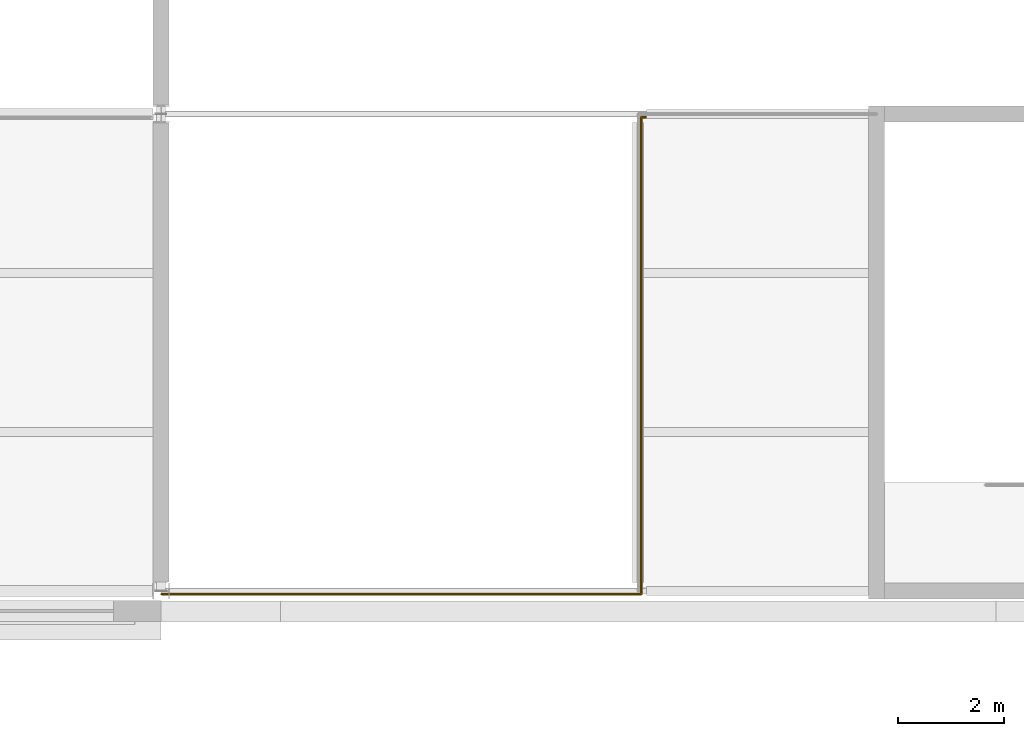
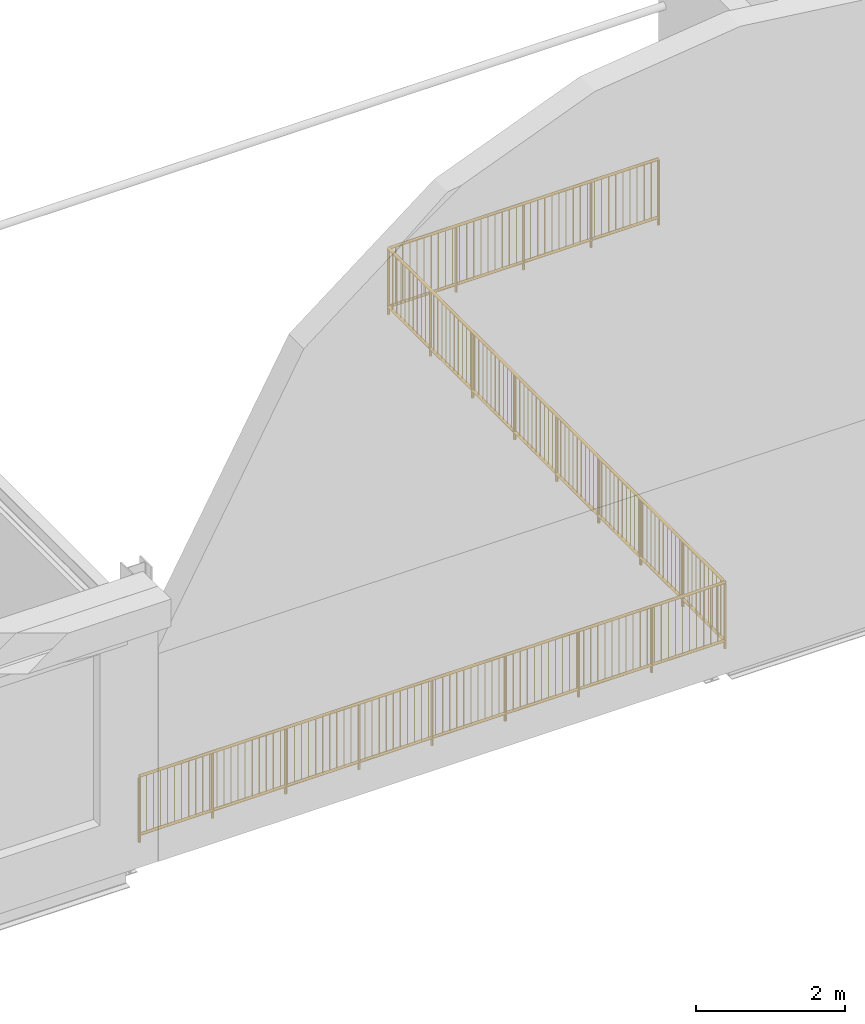
# One storey, part 55 of 59: 1 railing.
"""IFC4 building model written with IfcOpenShell, lengths in metres."""

import ifcopenshell
import ifcopenshell.guid

model = None  # the IFC model being written
_history = None  # IfcOwnerHistory: only IFC2X3 demands one
_inside = {}  # id of a spatial element -> (the spatial element, [elements in it])
_under = {}  # id of a project, library or spatial element -> (it, [spatial elements below it])
_declared = {}  # id of a project -> (the project, [libraries it declares])
_typed = {}  # id of a type object -> (the type object, [elements of that type])
_made_of = {}  # id of a material, layer set ... -> (it, [elements and type objects made of it])


def new_model(schema):
    """Start an empty IFC model of exactly this schema.

    Asked for "IFC4X3", IfcOpenShell would pick the latest addendum, in which some entities
    have other attributes; the version numbers below select the first issue.
    IFC2X3 requires an IfcOwnerHistory on every rooted entity: one is made here for all.
    """
    global model, _history
    if schema == "IFC4X3":
        model = ifcopenshell.file(schema_version=(4, 3, 0, 0))
    else:
        model = ifcopenshell.file(schema=schema)
    _inside.clear()
    _under.clear()
    _declared.clear()
    _typed.clear()
    _made_of.clear()
    _history = None
    if model.schema == "IFC2X3":
        org = make("IfcOrganization", Name="unknown")
        user = make(
            "IfcPersonAndOrganization",
            ThePerson=make("IfcPerson", FamilyName="unknown"),
            TheOrganization=org,
        )
        app = make(
            "IfcApplication",
            ApplicationDeveloper=org,
            Version="unknown",
            ApplicationFullName="unknown",
            ApplicationIdentifier="unknown",
        )
        _history = make(
            "IfcOwnerHistory",
            OwningUser=user,
            OwningApplication=app,
            ChangeAction="ADDED",
            CreationDate=0,
        )
    return model


def make(cls, **values):
    """One entity of the class cls with the attributes given. An attribute that is None is left unset."""
    return model.create_entity(
        cls, **{name: value for name, value in values.items() if value is not None}
    )


def rooted(cls, **values):
    """An entity with a GlobalId (a new one), such as an element, a storey or a relation."""
    return make(cls, GlobalId=ifcopenshell.guid.new(), OwnerHistory=_history, **values)


def si_unit(unit_type, name, prefix=None):
    """IfcSIUnit, for example si_unit("LENGTHUNIT", "METRE", prefix="MILLI")."""
    return make("IfcSIUnit", UnitType=unit_type, Prefix=prefix, Name=name)


def assignment(units):
    """IfcUnitAssignment: the units of a project."""
    return None if units is None else make("IfcUnitAssignment", Units=units)


def point(xyz):
    """IfcCartesianPoint."""
    return None if xyz is None else make("IfcCartesianPoint", Coordinates=xyz)


def direction(xyz):
    """IfcDirection."""
    return None if xyz is None else make("IfcDirection", DirectionRatios=xyz)


def frame(location, z_axis=None, x_axis=None):
    """IfcAxis2Placement3D, a coordinate frame: its origin and axes. An axis left out is left unset."""
    return make(
        "IfcAxis2Placement3D",
        Location=point(location),
        Axis=direction(z_axis),
        RefDirection=direction(x_axis),
    )


def frame_2d(location, x_axis=None):
    """IfcAxis2Placement2D, a coordinate frame in the plane: its origin and x axis."""
    return make(
        "IfcAxis2Placement2D", Location=point(location), RefDirection=direction(x_axis)
    )


def origin():
    """The frame at (0, 0, 0) with its axes left unset."""
    return frame((0.0, 0.0, 0.0))


def origin_2d():
    """The frame at (0, 0) in the plane with its x axis left unset."""
    return frame_2d((0.0, 0.0))


def place(relative_to, where):
    """IfcLocalPlacement: puts the frame where relative to a parent placement (None: the world)."""
    return make(
        "IfcLocalPlacement", PlacementRelTo=relative_to, RelativePlacement=where
    )


def context(
    kind, dimensions, precision=None, world=None, true_north=None, identifier=None
):
    """IfcGeometricRepresentationContext, for example the 3D "Model" context."""
    return make(
        "IfcGeometricRepresentationContext",
        ContextIdentifier=identifier,
        ContextType=kind,
        CoordinateSpaceDimension=dimensions,
        Precision=precision,
        WorldCoordinateSystem=world,
        TrueNorth=true_north,
    )


def subcontext(parent, identifier, kind, view, scale=None):
    """IfcGeometricRepresentationSubContext, for example "Body" below "Model"."""
    return make(
        "IfcGeometricRepresentationSubContext",
        ContextIdentifier=identifier,
        ContextType=kind,
        ParentContext=parent,
        TargetScale=scale,
        TargetView=view,
    )


def project(units=None, contexts=None):
    """IfcProject with its units and contexts."""
    return rooted(
        "IfcProject",
        Name="project",
        RepresentationContexts=contexts,
        UnitsInContext=assignment(units),
    )


def spatial(cls, under=None, at=None, **own):
    """A site, building, storey or space (cls), placed at a placement, below another one or the project."""
    s = rooted(cls, ObjectPlacement=at, **own)
    if under is not None:
        _under.setdefault(under.id(), (under, []))[1].append(s)
    return s


def profile(cls, at=None, kind="AREA", **sizes):
    """A parametric profile (cls). Its sizes go by their IFC names, for example OverallWidth=200.0."""
    return make(cls, ProfileType=kind, Position=at, **sizes)


def circle(**sizes):
    """IfcCircleProfileDef."""
    return profile("IfcCircleProfileDef", **sizes)


def extrude(swept, where, along, depth):
    """IfcExtrudedAreaSolid: the profile swept, set in the frame where, extruded along a direction by depth."""
    return make(
        "IfcExtrudedAreaSolid",
        SweptArea=swept,
        Position=where,
        ExtrudedDirection=direction(along),
        Depth=depth,
    )


def shape(context_of_items, identifier, shape_type, items):
    """IfcShapeRepresentation: the items that make up one representation, for example the "Body"."""
    return make(
        "IfcShapeRepresentation",
        ContextOfItems=context_of_items,
        RepresentationIdentifier=identifier,
        RepresentationType=shape_type,
        Items=items,
    )


def material(Name=None, Category=None):
    """IfcMaterial."""
    return make("IfcMaterial", Name=Name, Category=Category)


def made_of(thing, what):
    """Note that an element or type object is made of a material, layer set ...; save() writes the relation."""
    if what is not None:
        _made_of.setdefault(what.id(), (what, []))[1].append(thing)
    return thing


def type_object(cls, material=None, **own):
    """A type object (cls), such as IfcWallType, which elements share."""
    return made_of(rooted(cls, **own), material)


def element(
    cls,
    number,
    at=None,
    inside=None,
    cuts=None,
    type_object=None,
    material=None,
    context=None,
    identifier="Body",
    shape_type=None,
    held_by="IfcProductDefinitionShape",
    body=None,
    shapes=None,
    **own,
):
    """One element of the class cls, such as IfcWall. Its Tag is "e" and its number.

    at: its placement. inside: the storey or other place that contains it. cuts: it is an
    opening in that element (IfcRelVoidsElement). A single representation is given by context,
    identifier, shape_type and body (its items); several are given by shapes. held_by: the class
    of the entity that holds the representations. save() writes the other relations.
    """
    e = rooted(cls, Tag="e%d" % number, ObjectPlacement=at, **own)
    if body is not None:
        shapes = [shape(context, identifier, shape_type, body)]
    if shapes is not None:
        e.Representation = make(held_by, Representations=shapes)
    if inside is not None:
        _inside.setdefault(inside.id(), (inside, []))[1].append(e)
    if cuts is not None:
        rooted(
            "IfcRelVoidsElement", RelatingBuildingElement=cuts, RelatedOpeningElement=e
        )
    if type_object is not None:
        _typed.setdefault(type_object.id(), (type_object, []))[1].append(e)
    return made_of(e, material)


def aggregate(whole, parts):
    """IfcRelAggregates: a whole, such as a stair, and the parts it consists of."""
    return rooted("IfcRelAggregates", RelatingObject=whole, RelatedObjects=parts)


def save(model, path):
    """Write the relations noted so far, then the file.

    IfcRelAggregates (storeys below a building ...), IfcRelContainedInSpatialStructure (elements
    in a storey), IfcRelDefinesByType, IfcRelAssociatesMaterial and IfcRelDeclares: one each for
    every whole, place, type object, material and project.
    """
    for whole, parts in _under.values():
        aggregate(whole, parts)
    for where, things in _inside.values():
        rooted(
            "IfcRelContainedInSpatialStructure",
            RelatedElements=things,
            RelatingStructure=where,
        )
    for kind, things in _typed.values():
        rooted("IfcRelDefinesByType", RelatedObjects=things, RelatingType=kind)
    for what, things in _made_of.values():
        rooted("IfcRelAssociatesMaterial", RelatedObjects=things, RelatingMaterial=what)
    for by, libraries in _declared.values():
        rooted("IfcRelDeclares", RelatingContext=by, RelatedDefinitions=libraries)
    model.write(path)


model = new_model("IFC4")

# Units and contexts
model_context = context("Model", 3, precision=1e-05, world=origin(), true_north=direction((0.0, 1.0)))
body_context = subcontext(model_context, "Body", "Model", "MODEL_VIEW")
ifc_project = project(units=[si_unit("LENGTHUNIT", "METRE"), si_unit("AREAUNIT", "SQUARE_METRE"), si_unit("VOLUMEUNIT", "CUBIC_METRE"), si_unit("PLANEANGLEUNIT", "RADIAN"), si_unit("MASSUNIT", "GRAM", prefix="KILO")], contexts=[model_context])

# Site, building, storey
site_placement = place(None, origin())
site = spatial("IfcSite", under=ifc_project, at=site_placement, CompositionType="ELEMENT")
building_placement = place(site_placement, origin())
building = spatial("IfcBuilding", under=site, at=building_placement, Name="Hortulan Conservatory and Botanical Research Centre", CompositionType="ELEMENT")
storey_placement = place(building_placement, frame((0.0, 0.0, 10.5)))
storey = spatial("IfcBuildingStorey", under=building, at=storey_placement, Name="L02", CompositionType="ELEMENT", Elevation=10.5)

# Railing
ifc_material = material(Name="Wrought iron guard, bronze-charcoal paint", Category="metal")
railing_type = type_object("IfcRailingType", Name="Ironwork Void Guard 1100", PredefinedType="GUARDRAIL", material=ifc_material)
railing_placement = place(storey_placement, frame((103.22998046875, 44.93994140625, 0.0)))
element("IfcRailing", 1, at=railing_placement, inside=storey, type_object=railing_type, Name="Guard L02 Aud Hall L02 1 10", PredefinedType="GUARDRAIL", context=body_context, shape_type="SweptSolid", body=[
    extrude(circle(Radius=0.02392578125, at=origin_2d()), frame((0.0, 0.0, 1.076171875), z_axis=(-1.0, 0.0, 0.0), x_axis=(0.0, -1.0, 0.0)), (0.0, 0.0, 1.0), 4.169921875),
    extrude(circle(Radius=0.02392578125, at=origin_2d()), frame((0.0, 0.0, 0.1240234375), z_axis=(-1.0, 0.0, 0.0), x_axis=(0.0, -1.0, 0.0)), (0.0, 0.0, 1.0), 4.169921875),
    extrude(circle(Radius=0.008056640625, at=origin_2d()), frame((-0.109619140625, 0.0, 0.148193359375)), (0.0, 0.0, 1.0), 0.90380859375),
    extrude(circle(Radius=0.008056640625, at=origin_2d()), frame((-0.219482421875, 0.0, 0.148193359375)), (0.0, 0.0, 1.0), 0.90380859375),
    extrude(circle(Radius=0.008056640625, at=origin_2d()), frame((-0.3291015625, 0.0, 0.148193359375)), (0.0, 0.0, 1.0), 0.90380859375),
    extrude(circle(Radius=0.008056640625, at=origin_2d()), frame((-0.43896484375, 0.0, 0.148193359375)), (0.0, 0.0, 1.0), 0.90380859375),
    extrude(circle(Radius=0.008056640625, at=origin_2d()), frame((-0.548583984375, 0.0, 0.148193359375)), (0.0, 0.0, 1.0), 0.90380859375),
    extrude(circle(Radius=0.008056640625, at=origin_2d()), frame((-0.658447265625, 0.0, 0.148193359375)), (0.0, 0.0, 1.0), 0.90380859375),
    extrude(circle(Radius=0.008056640625, at=origin_2d()), frame((-0.76806640625, 0.0, 0.148193359375)), (0.0, 0.0, 1.0), 0.90380859375),
    extrude(circle(Radius=0.008056640625, at=origin_2d()), frame((-0.8779296875, 0.0, 0.148193359375)), (0.0, 0.0, 1.0), 0.90380859375),
    extrude(circle(Radius=0.008056640625, at=origin_2d()), frame((-0.987548828125, 0.0, 0.148193359375)), (0.0, 0.0, 1.0), 0.90380859375),
    extrude(circle(Radius=0.008056640625, at=origin_2d()), frame((-1.097412109375, 0.0, 0.148193359375)), (0.0, 0.0, 1.0), 0.90380859375),
    extrude(circle(Radius=0.008056640625, at=origin_2d()), frame((-1.20703125, 0.0, 0.148193359375)), (0.0, 0.0, 1.0), 0.90380859375),
    extrude(circle(Radius=0.008056640625, at=origin_2d()), frame((-1.31689453125, 0.0, 0.148193359375)), (0.0, 0.0, 1.0), 0.90380859375),
    extrude(circle(Radius=0.008056640625, at=origin_2d()), frame((-1.426513671875, 0.0, 0.148193359375)), (0.0, 0.0, 1.0), 0.90380859375),
    extrude(circle(Radius=0.008056640625, at=origin_2d()), frame((-1.536376953125, 0.0, 0.148193359375)), (0.0, 0.0, 1.0), 0.90380859375),
    extrude(circle(Radius=0.008056640625, at=origin_2d()), frame((-1.64599609375, 0.0, 0.148193359375)), (0.0, 0.0, 1.0), 0.90380859375),
    extrude(circle(Radius=0.008056640625, at=origin_2d()), frame((-1.755859375, 0.0, 0.148193359375)), (0.0, 0.0, 1.0), 0.90380859375),
    extrude(circle(Radius=0.008056640625, at=origin_2d()), frame((-1.865478515625, 0.0, 0.148193359375)), (0.0, 0.0, 1.0), 0.90380859375),
    extrude(circle(Radius=0.008056640625, at=origin_2d()), frame((-1.975341796875, 0.0, 0.148193359375)), (0.0, 0.0, 1.0), 0.90380859375),
    extrude(circle(Radius=0.008056640625, at=origin_2d()), frame((-2.0849609375, 0.0, 0.148193359375)), (0.0, 0.0, 1.0), 0.90380859375),
    extrude(circle(Radius=0.008056640625, at=origin_2d()), frame((-2.194580078125, 0.0, 0.148193359375)), (0.0, 0.0, 1.0), 0.90380859375),
    extrude(circle(Radius=0.008056640625, at=origin_2d()), frame((-2.304443359375, 0.0, 0.148193359375)), (0.0, 0.0, 1.0), 0.90380859375),
    extrude(circle(Radius=0.008056640625, at=origin_2d()), frame((-2.4140625, 0.0, 0.148193359375)), (0.0, 0.0, 1.0), 0.90380859375),
    extrude(circle(Radius=0.008056640625, at=origin_2d()), frame((-2.52392578125, 0.0, 0.148193359375)), (0.0, 0.0, 1.0), 0.90380859375),
    extrude(circle(Radius=0.008056640625, at=origin_2d()), frame((-2.633544921875, 0.0, 0.148193359375)), (0.0, 0.0, 1.0), 0.90380859375),
    extrude(circle(Radius=0.008056640625, at=origin_2d()), frame((-2.743408203125, 0.0, 0.148193359375)), (0.0, 0.0, 1.0), 0.90380859375),
    extrude(circle(Radius=0.008056640625, at=origin_2d()), frame((-2.85302734375, 0.0, 0.148193359375)), (0.0, 0.0, 1.0), 0.90380859375),
    extrude(circle(Radius=0.008056640625, at=origin_2d()), frame((-2.962890625, 0.0, 0.148193359375)), (0.0, 0.0, 1.0), 0.90380859375),
    extrude(circle(Radius=0.008056640625, at=origin_2d()), frame((-3.072509765625, 0.0, 0.148193359375)), (0.0, 0.0, 1.0), 0.90380859375),
    extrude(circle(Radius=0.008056640625, at=origin_2d()), frame((-3.182373046875, 0.0, 0.148193359375)), (0.0, 0.0, 1.0), 0.90380859375),
    extrude(circle(Radius=0.008056640625, at=origin_2d()), frame((-3.2919921875, 0.0, 0.148193359375)), (0.0, 0.0, 1.0), 0.90380859375),
    extrude(circle(Radius=0.008056640625, at=origin_2d()), frame((-3.40185546875, 0.0, 0.148193359375)), (0.0, 0.0, 1.0), 0.90380859375),
    extrude(circle(Radius=0.008056640625, at=origin_2d()), frame((-3.511474609375, 0.0, 0.148193359375)), (0.0, 0.0, 1.0), 0.90380859375),
    extrude(circle(Radius=0.008056640625, at=origin_2d()), frame((-3.621337890625, 0.0, 0.148193359375)), (0.0, 0.0, 1.0), 0.90380859375),
    extrude(circle(Radius=0.008056640625, at=origin_2d()), frame((-3.73095703125, 0.0, 0.148193359375)), (0.0, 0.0, 1.0), 0.90380859375),
    extrude(circle(Radius=0.008056640625, at=origin_2d()), frame((-3.8408203125, 0.0, 0.148193359375)), (0.0, 0.0, 1.0), 0.90380859375),
    extrude(circle(Radius=0.008056640625, at=origin_2d()), frame((-3.950439453125, 0.0, 0.148193359375)), (0.0, 0.0, 1.0), 0.90380859375),
    extrude(circle(Radius=0.008056640625, at=origin_2d()), frame((-4.060302734375, 0.0, 0.148193359375)), (0.0, 0.0, 1.0), 0.90380859375),
    extrude(circle(Radius=0.02392578125, at=origin_2d()), frame((-4.169921875, 0.0, 1.076171875), z_axis=(0.0, -1.0, 0.0), x_axis=(1.0, 0.0, 0.0)), (0.0, 0.0, 1.0), 9.0),
    extrude(circle(Radius=0.02392578125, at=origin_2d()), frame((-4.169921875, 0.0, 0.1240234375), z_axis=(0.0, -1.0, 0.0), x_axis=(1.0, 0.0, 0.0)), (0.0, 0.0, 1.0), 9.0),
    extrude(circle(Radius=0.008056640625, at=origin_2d()), frame((-4.169921875, -0.10986328125, 0.148193359375)), (0.0, 0.0, 1.0), 0.90380859375),
    extrude(circle(Radius=0.008056640625, at=origin_2d()), frame((-4.169921875, -0.219482421875, 0.148193359375)), (0.0, 0.0, 1.0), 0.90380859375),
    extrude(circle(Radius=0.008056640625, at=origin_2d()), frame((-4.169921875, -0.329345703125, 0.148193359375)), (0.0, 0.0, 1.0), 0.90380859375),
    extrude(circle(Radius=0.008056640625, at=origin_2d()), frame((-4.169921875, -0.43896484375, 0.148193359375)), (0.0, 0.0, 1.0), 0.90380859375),
    extrude(circle(Radius=0.008056640625, at=origin_2d()), frame((-4.169921875, -0.548828125, 0.148193359375)), (0.0, 0.0, 1.0), 0.90380859375),
    extrude(circle(Radius=0.008056640625, at=origin_2d()), frame((-4.169921875, -0.658447265625, 0.148193359375)), (0.0, 0.0, 1.0), 0.90380859375),
    extrude(circle(Radius=0.008056640625, at=origin_2d()), frame((-4.169921875, -0.768310546875, 0.148193359375)), (0.0, 0.0, 1.0), 0.90380859375),
    extrude(circle(Radius=0.008056640625, at=origin_2d()), frame((-4.169921875, -0.8779296875, 0.148193359375)), (0.0, 0.0, 1.0), 0.90380859375),
    extrude(circle(Radius=0.008056640625, at=origin_2d()), frame((-4.169921875, -0.98779296875, 0.148193359375)), (0.0, 0.0, 1.0), 0.90380859375),
    extrude(circle(Radius=0.008056640625, at=origin_2d()), frame((-4.169921875, -1.09765625, 0.148193359375)), (0.0, 0.0, 1.0), 0.90380859375),
    extrude(circle(Radius=0.008056640625, at=origin_2d()), frame((-4.169921875, -1.207275390625, 0.148193359375)), (0.0, 0.0, 1.0), 0.90380859375),
    extrude(circle(Radius=0.008056640625, at=origin_2d()), frame((-4.169921875, -1.317138671875, 0.148193359375)), (0.0, 0.0, 1.0), 0.90380859375),
    extrude(circle(Radius=0.008056640625, at=origin_2d()), frame((-4.169921875, -1.4267578125, 0.148193359375)), (0.0, 0.0, 1.0), 0.90380859375),
    extrude(circle(Radius=0.008056640625, at=origin_2d()), frame((-4.169921875, -1.53662109375, 0.148193359375)), (0.0, 0.0, 1.0), 0.90380859375),
    extrude(circle(Radius=0.008056640625, at=origin_2d()), frame((-4.169921875, -1.646240234375, 0.148193359375)), (0.0, 0.0, 1.0), 0.90380859375),
    extrude(circle(Radius=0.008056640625, at=origin_2d()), frame((-4.169921875, -1.756103515625, 0.148193359375)), (0.0, 0.0, 1.0), 0.90380859375),
    extrude(circle(Radius=0.008056640625, at=origin_2d()), frame((-4.169921875, -1.865966796875, 0.148193359375)), (0.0, 0.0, 1.0), 0.90380859375),
    extrude(circle(Radius=0.008056640625, at=origin_2d()), frame((-4.169921875, -1.9755859375, 0.148193359375)), (0.0, 0.0, 1.0), 0.90380859375),
    extrude(circle(Radius=0.008056640625, at=origin_2d()), frame((-4.169921875, -2.08544921875, 0.148193359375)), (0.0, 0.0, 1.0), 0.90380859375),
    extrude(circle(Radius=0.008056640625, at=origin_2d()), frame((-4.169921875, -2.195068359375, 0.148193359375)), (0.0, 0.0, 1.0), 0.90380859375),
    extrude(circle(Radius=0.008056640625, at=origin_2d()), frame((-4.169921875, -2.304931640625, 0.148193359375)), (0.0, 0.0, 1.0), 0.90380859375),
    extrude(circle(Radius=0.008056640625, at=origin_2d()), frame((-4.169921875, -2.41455078125, 0.148193359375)), (0.0, 0.0, 1.0), 0.90380859375),
    extrude(circle(Radius=0.008056640625, at=origin_2d()), frame((-4.169921875, -2.5244140625, 0.148193359375)), (0.0, 0.0, 1.0), 0.90380859375),
    extrude(circle(Radius=0.008056640625, at=origin_2d()), frame((-4.169921875, -2.634033203125, 0.148193359375)), (0.0, 0.0, 1.0), 0.90380859375),
    extrude(circle(Radius=0.008056640625, at=origin_2d()), frame((-4.169921875, -2.743896484375, 0.148193359375)), (0.0, 0.0, 1.0), 0.90380859375),
    extrude(circle(Radius=0.008056640625, at=origin_2d()), frame((-4.169921875, -2.853759765625, 0.148193359375)), (0.0, 0.0, 1.0), 0.90380859375),
    extrude(circle(Radius=0.008056640625, at=origin_2d()), frame((-4.169921875, -2.96337890625, 0.148193359375)), (0.0, 0.0, 1.0), 0.90380859375),
    extrude(circle(Radius=0.008056640625, at=origin_2d()), frame((-4.169921875, -3.0732421875, 0.148193359375)), (0.0, 0.0, 1.0), 0.90380859375),
    extrude(circle(Radius=0.008056640625, at=origin_2d()), frame((-4.169921875, -3.182861328125, 0.148193359375)), (0.0, 0.0, 1.0), 0.90380859375),
    extrude(circle(Radius=0.008056640625, at=origin_2d()), frame((-4.169921875, -3.292724609375, 0.148193359375)), (0.0, 0.0, 1.0), 0.90380859375),
    extrude(circle(Radius=0.008056640625, at=origin_2d()), frame((-4.169921875, -3.40234375, 0.148193359375)), (0.0, 0.0, 1.0), 0.90380859375),
    extrude(circle(Radius=0.008056640625, at=origin_2d()), frame((-4.169921875, -3.51220703125, 0.148193359375)), (0.0, 0.0, 1.0), 0.90380859375),
    extrude(circle(Radius=0.008056640625, at=origin_2d()), frame((-4.169921875, -3.6220703125, 0.148193359375)), (0.0, 0.0, 1.0), 0.90380859375),
    extrude(circle(Radius=0.008056640625, at=origin_2d()), frame((-4.169921875, -3.731689453125, 0.148193359375)), (0.0, 0.0, 1.0), 0.90380859375),
    extrude(circle(Radius=0.008056640625, at=origin_2d()), frame((-4.169921875, -3.841552734375, 0.148193359375)), (0.0, 0.0, 1.0), 0.90380859375),
    extrude(circle(Radius=0.008056640625, at=origin_2d()), frame((-4.169921875, -3.951171875, 0.148193359375)), (0.0, 0.0, 1.0), 0.90380859375),
    extrude(circle(Radius=0.008056640625, at=origin_2d()), frame((-4.169921875, -4.06103515625, 0.148193359375)), (0.0, 0.0, 1.0), 0.90380859375),
    extrude(circle(Radius=0.008056640625, at=origin_2d()), frame((-4.169921875, -4.170654296875, 0.148193359375)), (0.0, 0.0, 1.0), 0.90380859375),
    extrude(circle(Radius=0.008056640625, at=origin_2d()), frame((-4.169921875, -4.280517578125, 0.148193359375)), (0.0, 0.0, 1.0), 0.90380859375),
    extrude(circle(Radius=0.008056640625, at=origin_2d()), frame((-4.169921875, -4.39013671875, 0.148193359375)), (0.0, 0.0, 1.0), 0.90380859375),
    extrude(circle(Radius=0.008056640625, at=origin_2d()), frame((-4.169921875, -4.5, 0.148193359375)), (0.0, 0.0, 1.0), 0.90380859375),
    extrude(circle(Radius=0.008056640625, at=origin_2d()), frame((-4.169921875, -4.60986328125, 0.148193359375)), (0.0, 0.0, 1.0), 0.90380859375),
    extrude(circle(Radius=0.008056640625, at=origin_2d()), frame((-4.169921875, -4.719482421875, 0.148193359375)), (0.0, 0.0, 1.0), 0.90380859375),
    extrude(circle(Radius=0.008056640625, at=origin_2d()), frame((-4.169921875, -4.829345703125, 0.148193359375)), (0.0, 0.0, 1.0), 0.90380859375),
    extrude(circle(Radius=0.008056640625, at=origin_2d()), frame((-4.169921875, -4.93896484375, 0.148193359375)), (0.0, 0.0, 1.0), 0.90380859375),
    extrude(circle(Radius=0.008056640625, at=origin_2d()), frame((-4.169921875, -5.048828125, 0.148193359375)), (0.0, 0.0, 1.0), 0.90380859375),
    extrude(circle(Radius=0.008056640625, at=origin_2d()), frame((-4.169921875, -5.158447265625, 0.148193359375)), (0.0, 0.0, 1.0), 0.90380859375),
    extrude(circle(Radius=0.008056640625, at=origin_2d()), frame((-4.169921875, -5.268310546875, 0.148193359375)), (0.0, 0.0, 1.0), 0.90380859375),
    extrude(circle(Radius=0.008056640625, at=origin_2d()), frame((-4.169921875, -5.3779296875, 0.148193359375)), (0.0, 0.0, 1.0), 0.90380859375),
    extrude(circle(Radius=0.008056640625, at=origin_2d()), frame((-4.169921875, -5.48779296875, 0.148193359375)), (0.0, 0.0, 1.0), 0.90380859375),
    extrude(circle(Radius=0.008056640625, at=origin_2d()), frame((-4.169921875, -5.59765625, 0.148193359375)), (0.0, 0.0, 1.0), 0.90380859375),
    extrude(circle(Radius=0.008056640625, at=origin_2d()), frame((-4.169921875, -5.707275390625, 0.148193359375)), (0.0, 0.0, 1.0), 0.90380859375),
    extrude(circle(Radius=0.008056640625, at=origin_2d()), frame((-4.169921875, -5.817138671875, 0.148193359375)), (0.0, 0.0, 1.0), 0.90380859375),
    extrude(circle(Radius=0.008056640625, at=origin_2d()), frame((-4.169921875, -5.9267578125, 0.148193359375)), (0.0, 0.0, 1.0), 0.90380859375),
    extrude(circle(Radius=0.008056640625, at=origin_2d()), frame((-4.169921875, -6.03662109375, 0.148193359375)), (0.0, 0.0, 1.0), 0.90380859375),
    extrude(circle(Radius=0.008056640625, at=origin_2d()), frame((-4.169921875, -6.146240234375, 0.148193359375)), (0.0, 0.0, 1.0), 0.90380859375),
    extrude(circle(Radius=0.008056640625, at=origin_2d()), frame((-4.169921875, -6.256103515625, 0.148193359375)), (0.0, 0.0, 1.0), 0.90380859375),
    extrude(circle(Radius=0.008056640625, at=origin_2d()), frame((-4.169921875, -6.365966796875, 0.148193359375)), (0.0, 0.0, 1.0), 0.90380859375),
    extrude(circle(Radius=0.008056640625, at=origin_2d()), frame((-4.169921875, -6.4755859375, 0.148193359375)), (0.0, 0.0, 1.0), 0.90380859375),
    extrude(circle(Radius=0.008056640625, at=origin_2d()), frame((-4.169921875, -6.58544921875, 0.148193359375)), (0.0, 0.0, 1.0), 0.90380859375),
    extrude(circle(Radius=0.008056640625, at=origin_2d()), frame((-4.169921875, -6.695068359375, 0.148193359375)), (0.0, 0.0, 1.0), 0.90380859375),
    extrude(circle(Radius=0.008056640625, at=origin_2d()), frame((-4.169921875, -6.804931640625, 0.148193359375)), (0.0, 0.0, 1.0), 0.90380859375),
    extrude(circle(Radius=0.008056640625, at=origin_2d()), frame((-4.169921875, -6.91455078125, 0.148193359375)), (0.0, 0.0, 1.0), 0.90380859375),
    extrude(circle(Radius=0.008056640625, at=origin_2d()), frame((-4.169921875, -7.0244140625, 0.148193359375)), (0.0, 0.0, 1.0), 0.90380859375),
    extrude(circle(Radius=0.008056640625, at=origin_2d()), frame((-4.169921875, -7.134033203125, 0.148193359375)), (0.0, 0.0, 1.0), 0.90380859375),
    extrude(circle(Radius=0.008056640625, at=origin_2d()), frame((-4.169921875, -7.243896484375, 0.148193359375)), (0.0, 0.0, 1.0), 0.90380859375),
    extrude(circle(Radius=0.008056640625, at=origin_2d()), frame((-4.169921875, -7.353759765625, 0.148193359375)), (0.0, 0.0, 1.0), 0.90380859375),
    extrude(circle(Radius=0.008056640625, at=origin_2d()), frame((-4.169921875, -7.46337890625, 0.148193359375)), (0.0, 0.0, 1.0), 0.90380859375),
    extrude(circle(Radius=0.008056640625, at=origin_2d()), frame((-4.169921875, -7.5732421875, 0.148193359375)), (0.0, 0.0, 1.0), 0.90380859375),
    extrude(circle(Radius=0.008056640625, at=origin_2d()), frame((-4.169921875, -7.682861328125, 0.148193359375)), (0.0, 0.0, 1.0), 0.90380859375),
    extrude(circle(Radius=0.008056640625, at=origin_2d()), frame((-4.169921875, -7.792724609375, 0.148193359375)), (0.0, 0.0, 1.0), 0.90380859375),
    extrude(circle(Radius=0.008056640625, at=origin_2d()), frame((-4.169921875, -7.90234375, 0.148193359375)), (0.0, 0.0, 1.0), 0.90380859375),
    extrude(circle(Radius=0.008056640625, at=origin_2d()), frame((-4.169921875, -8.01220703125, 0.148193359375)), (0.0, 0.0, 1.0), 0.90380859375),
    extrude(circle(Radius=0.008056640625, at=origin_2d()), frame((-4.169921875, -8.1220703125, 0.148193359375)), (0.0, 0.0, 1.0), 0.90380859375),
    extrude(circle(Radius=0.008056640625, at=origin_2d()), frame((-4.169921875, -8.231689453125, 0.148193359375)), (0.0, 0.0, 1.0), 0.90380859375),
    extrude(circle(Radius=0.008056640625, at=origin_2d()), frame((-4.169921875, -8.341552734375, 0.148193359375)), (0.0, 0.0, 1.0), 0.90380859375),
    extrude(circle(Radius=0.008056640625, at=origin_2d()), frame((-4.169921875, -8.451171875, 0.148193359375)), (0.0, 0.0, 1.0), 0.90380859375),
    extrude(circle(Radius=0.008056640625, at=origin_2d()), frame((-4.169921875, -8.56103515625, 0.148193359375)), (0.0, 0.0, 1.0), 0.90380859375),
    extrude(circle(Radius=0.008056640625, at=origin_2d()), frame((-4.169921875, -8.670654296875, 0.148193359375)), (0.0, 0.0, 1.0), 0.90380859375),
    extrude(circle(Radius=0.008056640625, at=origin_2d()), frame((-4.169921875, -8.780517578125, 0.148193359375)), (0.0, 0.0, 1.0), 0.90380859375),
    extrude(circle(Radius=0.008056640625, at=origin_2d()), frame((-4.169921875, -8.89013671875, 0.148193359375)), (0.0, 0.0, 1.0), 0.90380859375),
    extrude(circle(Radius=0.02392578125, at=origin_2d()), frame((-4.169921875, -9.0, 1.076171875), z_axis=(-1.0, 0.0, 0.0), x_axis=(0.0, -1.0, 0.0)), (0.0, 0.0, 1.0), 9.0498046875),
    extrude(circle(Radius=0.02392578125, at=origin_2d()), frame((-4.169921875, -9.0, 0.1240234375), z_axis=(-1.0, 0.0, 0.0), x_axis=(0.0, -1.0, 0.0)), (0.0, 0.0, 1.0), 9.0498046875),
    extrude(circle(Radius=0.008056640625, at=origin_2d()), frame((-4.279052734375, -9.0, 0.148193359375)), (0.0, 0.0, 1.0), 0.90380859375),
    extrude(circle(Radius=0.008056640625, at=origin_2d()), frame((-4.387939453125, -9.0, 0.148193359375)), (0.0, 0.0, 1.0), 0.90380859375),
    extrude(circle(Radius=0.008056640625, at=origin_2d()), frame((-4.4970703125, -9.0, 0.148193359375)), (0.0, 0.0, 1.0), 0.90380859375),
    extrude(circle(Radius=0.008056640625, at=origin_2d()), frame((-4.60595703125, -9.0, 0.148193359375)), (0.0, 0.0, 1.0), 0.90380859375),
    extrude(circle(Radius=0.008056640625, at=origin_2d()), frame((-4.715087890625, -9.0, 0.148193359375)), (0.0, 0.0, 1.0), 0.90380859375),
    extrude(circle(Radius=0.008056640625, at=origin_2d()), frame((-4.82421875, -9.0, 0.148193359375)), (0.0, 0.0, 1.0), 0.90380859375),
    extrude(circle(Radius=0.008056640625, at=origin_2d()), frame((-4.93310546875, -9.0, 0.148193359375)), (0.0, 0.0, 1.0), 0.90380859375),
    extrude(circle(Radius=0.008056640625, at=origin_2d()), frame((-5.042236328125, -9.0, 0.148193359375)), (0.0, 0.0, 1.0), 0.90380859375),
    extrude(circle(Radius=0.008056640625, at=origin_2d()), frame((-5.151123046875, -9.0, 0.148193359375)), (0.0, 0.0, 1.0), 0.90380859375),
    extrude(circle(Radius=0.008056640625, at=origin_2d()), frame((-5.26025390625, -9.0, 0.148193359375)), (0.0, 0.0, 1.0), 0.90380859375),
    extrude(circle(Radius=0.008056640625, at=origin_2d()), frame((-5.369384765625, -9.0, 0.148193359375)), (0.0, 0.0, 1.0), 0.90380859375),
    extrude(circle(Radius=0.008056640625, at=origin_2d()), frame((-5.478271484375, -9.0, 0.148193359375)), (0.0, 0.0, 1.0), 0.90380859375),
    extrude(circle(Radius=0.008056640625, at=origin_2d()), frame((-5.58740234375, -9.0, 0.148193359375)), (0.0, 0.0, 1.0), 0.90380859375),
    extrude(circle(Radius=0.008056640625, at=origin_2d()), frame((-5.6962890625, -9.0, 0.148193359375)), (0.0, 0.0, 1.0), 0.90380859375),
    extrude(circle(Radius=0.008056640625, at=origin_2d()), frame((-5.805419921875, -9.0, 0.148193359375)), (0.0, 0.0, 1.0), 0.90380859375),
    extrude(circle(Radius=0.008056640625, at=origin_2d()), frame((-5.91455078125, -9.0, 0.148193359375)), (0.0, 0.0, 1.0), 0.90380859375),
    extrude(circle(Radius=0.008056640625, at=origin_2d()), frame((-6.0234375, -9.0, 0.148193359375)), (0.0, 0.0, 1.0), 0.90380859375),
    extrude(circle(Radius=0.008056640625, at=origin_2d()), frame((-6.132568359375, -9.0, 0.148193359375)), (0.0, 0.0, 1.0), 0.90380859375),
    extrude(circle(Radius=0.008056640625, at=origin_2d()), frame((-6.241455078125, -9.0, 0.148193359375)), (0.0, 0.0, 1.0), 0.90380859375),
    extrude(circle(Radius=0.008056640625, at=origin_2d()), frame((-6.3505859375, -9.0, 0.148193359375)), (0.0, 0.0, 1.0), 0.90380859375),
    extrude(circle(Radius=0.008056640625, at=origin_2d()), frame((-6.459716796875, -9.0, 0.148193359375)), (0.0, 0.0, 1.0), 0.90380859375),
    extrude(circle(Radius=0.008056640625, at=origin_2d()), frame((-6.568603515625, -9.0, 0.148193359375)), (0.0, 0.0, 1.0), 0.90380859375),
    extrude(circle(Radius=0.008056640625, at=origin_2d()), frame((-6.677734375, -9.0, 0.148193359375)), (0.0, 0.0, 1.0), 0.90380859375),
    extrude(circle(Radius=0.008056640625, at=origin_2d()), frame((-6.78662109375, -9.0, 0.148193359375)), (0.0, 0.0, 1.0), 0.90380859375),
    extrude(circle(Radius=0.008056640625, at=origin_2d()), frame((-6.895751953125, -9.0, 0.148193359375)), (0.0, 0.0, 1.0), 0.90380859375),
    extrude(circle(Radius=0.008056640625, at=origin_2d()), frame((-7.0048828125, -9.0, 0.148193359375)), (0.0, 0.0, 1.0), 0.90380859375),
    extrude(circle(Radius=0.008056640625, at=origin_2d()), frame((-7.11376953125, -9.0, 0.148193359375)), (0.0, 0.0, 1.0), 0.90380859375),
    extrude(circle(Radius=0.008056640625, at=origin_2d()), frame((-7.222900390625, -9.0, 0.148193359375)), (0.0, 0.0, 1.0), 0.90380859375),
    extrude(circle(Radius=0.008056640625, at=origin_2d()), frame((-7.331787109375, -9.0, 0.148193359375)), (0.0, 0.0, 1.0), 0.90380859375),
    extrude(circle(Radius=0.008056640625, at=origin_2d()), frame((-7.44091796875, -9.0, 0.148193359375)), (0.0, 0.0, 1.0), 0.90380859375),
    extrude(circle(Radius=0.008056640625, at=origin_2d()), frame((-7.550048828125, -9.0, 0.148193359375)), (0.0, 0.0, 1.0), 0.90380859375),
    extrude(circle(Radius=0.008056640625, at=origin_2d()), frame((-7.658935546875, -9.0, 0.148193359375)), (0.0, 0.0, 1.0), 0.90380859375),
    extrude(circle(Radius=0.008056640625, at=origin_2d()), frame((-7.76806640625, -9.0, 0.148193359375)), (0.0, 0.0, 1.0), 0.90380859375),
    extrude(circle(Radius=0.008056640625, at=origin_2d()), frame((-7.876953125, -9.0, 0.148193359375)), (0.0, 0.0, 1.0), 0.90380859375),
    extrude(circle(Radius=0.008056640625, at=origin_2d()), frame((-7.986083984375, -9.0, 0.148193359375)), (0.0, 0.0, 1.0), 0.90380859375),
    extrude(circle(Radius=0.008056640625, at=origin_2d()), frame((-8.09521484375, -9.0, 0.148193359375)), (0.0, 0.0, 1.0), 0.90380859375),
    extrude(circle(Radius=0.008056640625, at=origin_2d()), frame((-8.2041015625, -9.0, 0.148193359375)), (0.0, 0.0, 1.0), 0.90380859375),
    extrude(circle(Radius=0.008056640625, at=origin_2d()), frame((-8.313232421875, -9.0, 0.148193359375)), (0.0, 0.0, 1.0), 0.90380859375),
    extrude(circle(Radius=0.008056640625, at=origin_2d()), frame((-8.422119140625, -9.0, 0.148193359375)), (0.0, 0.0, 1.0), 0.90380859375),
    extrude(circle(Radius=0.008056640625, at=origin_2d()), frame((-8.53125, -9.0, 0.148193359375)), (0.0, 0.0, 1.0), 0.90380859375),
    extrude(circle(Radius=0.008056640625, at=origin_2d()), frame((-8.640380859375, -9.0, 0.148193359375)), (0.0, 0.0, 1.0), 0.90380859375),
    extrude(circle(Radius=0.008056640625, at=origin_2d()), frame((-8.749267578125, -9.0, 0.148193359375)), (0.0, 0.0, 1.0), 0.90380859375),
    extrude(circle(Radius=0.008056640625, at=origin_2d()), frame((-8.8583984375, -9.0, 0.148193359375)), (0.0, 0.0, 1.0), 0.90380859375),
    extrude(circle(Radius=0.008056640625, at=origin_2d()), frame((-8.967529296875, -9.0, 0.148193359375)), (0.0, 0.0, 1.0), 0.90380859375),
    extrude(circle(Radius=0.008056640625, at=origin_2d()), frame((-9.076416015625, -9.0, 0.148193359375)), (0.0, 0.0, 1.0), 0.90380859375),
    extrude(circle(Radius=0.008056640625, at=origin_2d()), frame((-9.185546875, -9.0, 0.148193359375)), (0.0, 0.0, 1.0), 0.90380859375),
    extrude(circle(Radius=0.008056640625, at=origin_2d()), frame((-9.29443359375, -9.0, 0.148193359375)), (0.0, 0.0, 1.0), 0.90380859375),
    extrude(circle(Radius=0.008056640625, at=origin_2d()), frame((-9.403564453125, -9.0, 0.148193359375)), (0.0, 0.0, 1.0), 0.90380859375),
    extrude(circle(Radius=0.008056640625, at=origin_2d()), frame((-9.5126953125, -9.0, 0.148193359375)), (0.0, 0.0, 1.0), 0.90380859375),
    extrude(circle(Radius=0.008056640625, at=origin_2d()), frame((-9.62158203125, -9.0, 0.148193359375)), (0.0, 0.0, 1.0), 0.90380859375),
    extrude(circle(Radius=0.008056640625, at=origin_2d()), frame((-9.730712890625, -9.0, 0.148193359375)), (0.0, 0.0, 1.0), 0.90380859375),
    extrude(circle(Radius=0.008056640625, at=origin_2d()), frame((-9.839599609375, -9.0, 0.148193359375)), (0.0, 0.0, 1.0), 0.90380859375),
    extrude(circle(Radius=0.008056640625, at=origin_2d()), frame((-9.94873046875, -9.0, 0.148193359375)), (0.0, 0.0, 1.0), 0.90380859375),
    extrude(circle(Radius=0.008056640625, at=origin_2d()), frame((-10.057861328125, -9.0, 0.148193359375)), (0.0, 0.0, 1.0), 0.90380859375),
    extrude(circle(Radius=0.008056640625, at=origin_2d()), frame((-10.166748046875, -9.0, 0.148193359375)), (0.0, 0.0, 1.0), 0.90380859375),
    extrude(circle(Radius=0.008056640625, at=origin_2d()), frame((-10.27587890625, -9.0, 0.148193359375)), (0.0, 0.0, 1.0), 0.90380859375),
    extrude(circle(Radius=0.008056640625, at=origin_2d()), frame((-10.384765625, -9.0, 0.148193359375)), (0.0, 0.0, 1.0), 0.90380859375),
    extrude(circle(Radius=0.008056640625, at=origin_2d()), frame((-10.493896484375, -9.0, 0.148193359375)), (0.0, 0.0, 1.0), 0.90380859375),
    extrude(circle(Radius=0.008056640625, at=origin_2d()), frame((-10.60302734375, -9.0, 0.148193359375)), (0.0, 0.0, 1.0), 0.90380859375),
    extrude(circle(Radius=0.008056640625, at=origin_2d()), frame((-10.7119140625, -9.0, 0.148193359375)), (0.0, 0.0, 1.0), 0.90380859375),
    extrude(circle(Radius=0.008056640625, at=origin_2d()), frame((-10.821044921875, -9.0, 0.148193359375)), (0.0, 0.0, 1.0), 0.90380859375),
    extrude(circle(Radius=0.008056640625, at=origin_2d()), frame((-10.929931640625, -9.0, 0.148193359375)), (0.0, 0.0, 1.0), 0.90380859375),
    extrude(circle(Radius=0.008056640625, at=origin_2d()), frame((-11.0390625, -9.0, 0.148193359375)), (0.0, 0.0, 1.0), 0.90380859375),
    extrude(circle(Radius=0.008056640625, at=origin_2d()), frame((-11.148193359375, -9.0, 0.148193359375)), (0.0, 0.0, 1.0), 0.90380859375),
    extrude(circle(Radius=0.008056640625, at=origin_2d()), frame((-11.257080078125, -9.0, 0.148193359375)), (0.0, 0.0, 1.0), 0.90380859375),
    extrude(circle(Radius=0.008056640625, at=origin_2d()), frame((-11.3662109375, -9.0, 0.148193359375)), (0.0, 0.0, 1.0), 0.90380859375),
    extrude(circle(Radius=0.008056640625, at=origin_2d()), frame((-11.47509765625, -9.0, 0.148193359375)), (0.0, 0.0, 1.0), 0.90380859375),
    extrude(circle(Radius=0.008056640625, at=origin_2d()), frame((-11.584228515625, -9.0, 0.148193359375)), (0.0, 0.0, 1.0), 0.90380859375),
    extrude(circle(Radius=0.008056640625, at=origin_2d()), frame((-11.693359375, -9.0, 0.148193359375)), (0.0, 0.0, 1.0), 0.90380859375),
    extrude(circle(Radius=0.008056640625, at=origin_2d()), frame((-11.80224609375, -9.0, 0.148193359375)), (0.0, 0.0, 1.0), 0.90380859375),
    extrude(circle(Radius=0.008056640625, at=origin_2d()), frame((-11.911376953125, -9.0, 0.148193359375)), (0.0, 0.0, 1.0), 0.90380859375),
    extrude(circle(Radius=0.008056640625, at=origin_2d()), frame((-12.020263671875, -9.0, 0.148193359375)), (0.0, 0.0, 1.0), 0.90380859375),
    extrude(circle(Radius=0.008056640625, at=origin_2d()), frame((-12.12939453125, -9.0, 0.148193359375)), (0.0, 0.0, 1.0), 0.90380859375),
    extrude(circle(Radius=0.008056640625, at=origin_2d()), frame((-12.238525390625, -9.0, 0.148193359375)), (0.0, 0.0, 1.0), 0.90380859375),
    extrude(circle(Radius=0.008056640625, at=origin_2d()), frame((-12.347412109375, -9.0, 0.148193359375)), (0.0, 0.0, 1.0), 0.90380859375),
    extrude(circle(Radius=0.008056640625, at=origin_2d()), frame((-12.45654296875, -9.0, 0.148193359375)), (0.0, 0.0, 1.0), 0.90380859375),
    extrude(circle(Radius=0.008056640625, at=origin_2d()), frame((-12.5654296875, -9.0, 0.148193359375)), (0.0, 0.0, 1.0), 0.90380859375),
    extrude(circle(Radius=0.008056640625, at=origin_2d()), frame((-12.674560546875, -9.0, 0.148193359375)), (0.0, 0.0, 1.0), 0.90380859375),
    extrude(circle(Radius=0.008056640625, at=origin_2d()), frame((-12.78369140625, -9.0, 0.148193359375)), (0.0, 0.0, 1.0), 0.90380859375),
    extrude(circle(Radius=0.008056640625, at=origin_2d()), frame((-12.892578125, -9.0, 0.148193359375)), (0.0, 0.0, 1.0), 0.90380859375),
    extrude(circle(Radius=0.008056640625, at=origin_2d()), frame((-13.001708984375, -9.0, 0.148193359375)), (0.0, 0.0, 1.0), 0.90380859375),
    extrude(circle(Radius=0.008056640625, at=origin_2d()), frame((-13.110595703125, -9.0, 0.148193359375)), (0.0, 0.0, 1.0), 0.90380859375),
    extrude(circle(Radius=0.02099609375, at=origin_2d()), origin(), (0.0, 0.0, 1.0), 1.052001953125),
    extrude(circle(Radius=0.02099609375, at=origin_2d()), frame((-1.04248046875, 0.0, 0.0)), (0.0, 0.0, 1.0), 1.052001953125),
    extrude(circle(Radius=0.02099609375, at=origin_2d()), frame((-2.0849609375, 0.0, 0.0)), (0.0, 0.0, 1.0), 1.052001953125),
    extrude(circle(Radius=0.02099609375, at=origin_2d()), frame((-3.12744140625, 0.0, 0.0)), (0.0, 0.0, 1.0), 1.052001953125),
    extrude(circle(Radius=0.02099609375, at=origin_2d()), frame((-4.169921875, 0.0, 0.0)), (0.0, 0.0, 1.0), 1.052001953125),
    extrude(circle(Radius=0.02099609375, at=origin_2d()), frame((-4.169921875, -1.125, 0.0)), (0.0, 0.0, 1.0), 1.052001953125),
    extrude(circle(Radius=0.02099609375, at=origin_2d()), frame((-4.169921875, -2.25, 0.0)), (0.0, 0.0, 1.0), 1.052001953125),
    extrude(circle(Radius=0.02099609375, at=origin_2d()), frame((-4.169921875, -3.375, 0.0)), (0.0, 0.0, 1.0), 1.052001953125),
    extrude(circle(Radius=0.02099609375, at=origin_2d()), frame((-4.169921875, -4.5, 0.0)), (0.0, 0.0, 1.0), 1.052001953125),
    extrude(circle(Radius=0.02099609375, at=origin_2d()), frame((-4.169921875, -5.625, 0.0)), (0.0, 0.0, 1.0), 1.052001953125),
    extrude(circle(Radius=0.02099609375, at=origin_2d()), frame((-4.169921875, -6.75, 0.0)), (0.0, 0.0, 1.0), 1.052001953125),
    extrude(circle(Radius=0.02099609375, at=origin_2d()), frame((-4.169921875, -7.875, 0.0)), (0.0, 0.0, 1.0), 1.052001953125),
    extrude(circle(Radius=0.02099609375, at=origin_2d()), frame((-4.169921875, -9.0, 0.0)), (0.0, 0.0, 1.0), 1.052001953125),
    extrude(circle(Radius=0.02099609375, at=origin_2d()), frame((-5.30126953125, -9.0, 0.0)), (0.0, 0.0, 1.0), 1.052001953125),
    extrude(circle(Radius=0.02099609375, at=origin_2d()), frame((-6.432373046875, -9.0, 0.0)), (0.0, 0.0, 1.0), 1.052001953125),
    extrude(circle(Radius=0.02099609375, at=origin_2d()), frame((-7.5634765625, -9.0, 0.0)), (0.0, 0.0, 1.0), 1.052001953125),
    extrude(circle(Radius=0.02099609375, at=origin_2d()), frame((-8.69482421875, -9.0, 0.0)), (0.0, 0.0, 1.0), 1.052001953125),
    extrude(circle(Radius=0.02099609375, at=origin_2d()), frame((-9.826171875, -9.0, 0.0)), (0.0, 0.0, 1.0), 1.052001953125),
    extrude(circle(Radius=0.02099609375, at=origin_2d()), frame((-10.957275390625, -9.0, 0.0)), (0.0, 0.0, 1.0), 1.052001953125),
    extrude(circle(Radius=0.02099609375, at=origin_2d()), frame((-12.08837890625, -9.0, 0.0)), (0.0, 0.0, 1.0), 1.052001953125),
    extrude(circle(Radius=0.02099609375, at=origin_2d()), frame((-13.2197265625, -9.0, 0.0)), (0.0, 0.0, 1.0), 1.052001953125),
])

save(model, "model.ifc")
